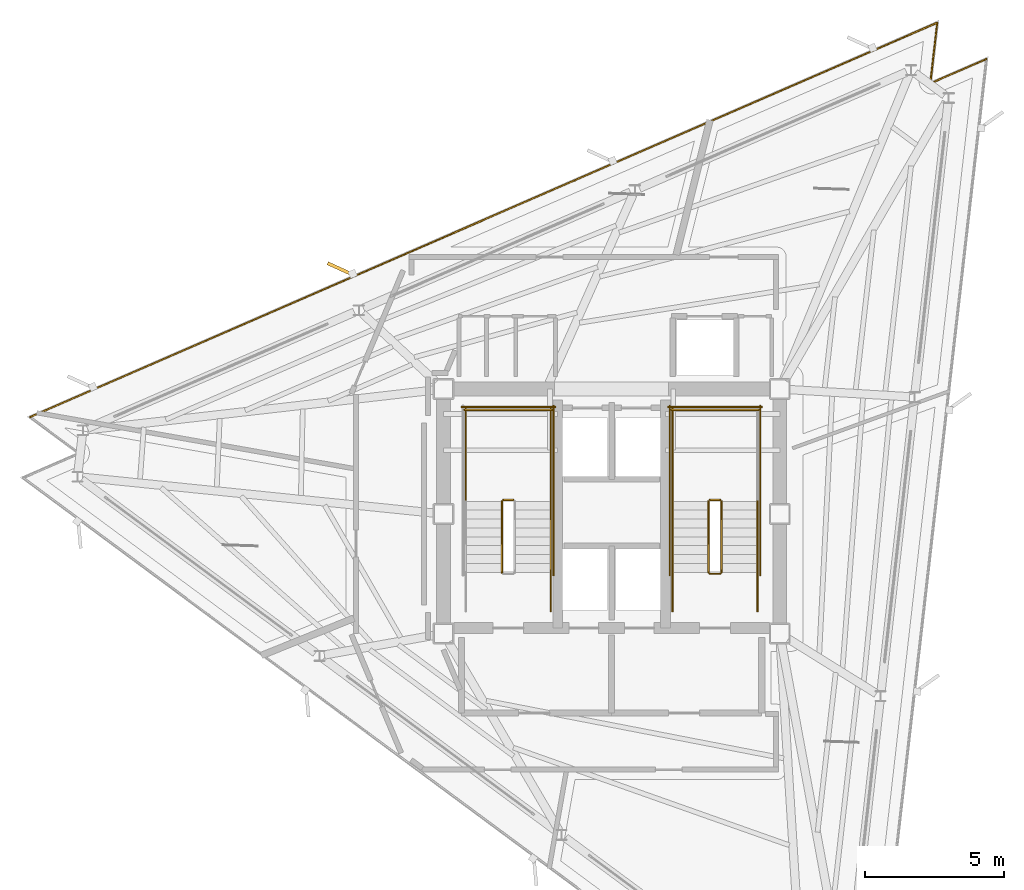
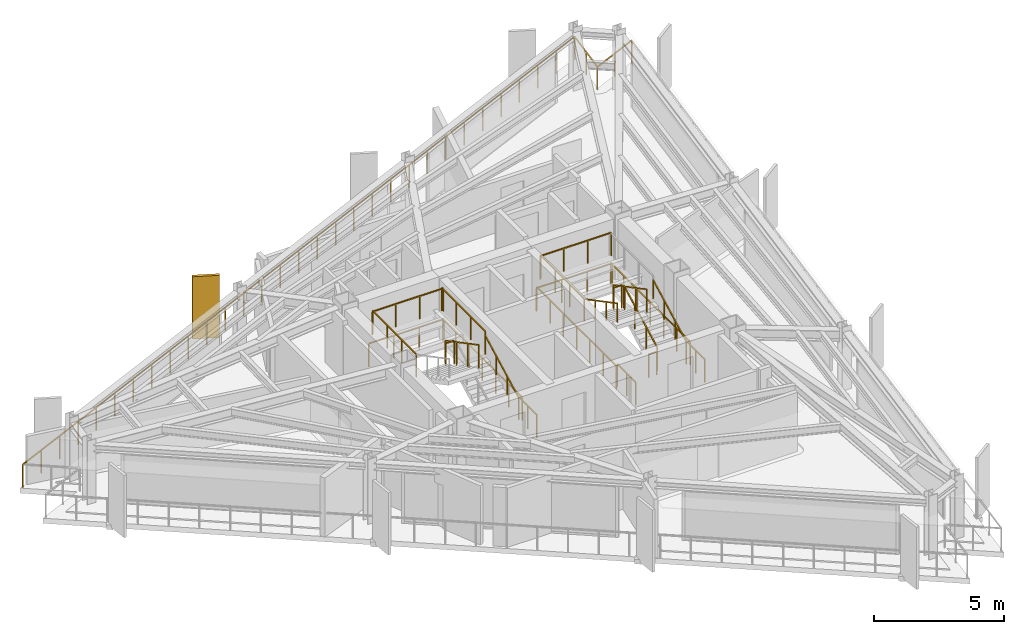
# One storey, part 9 of 10: 23 railings, 1 shading device.
"""IFC4 building model written with IfcOpenShell, lengths in metres."""

from ifc_helpers import new_model, si_unit, direction, frame, origin, origin_2d, place, context, subcontext, project, spatial, rectangle, extrude, material, layer, layer_set, type_object, element, save


model = new_model("IFC4")

# Units and contexts
model_context = context("Model", 3, precision=1e-05, world=origin(), true_north=direction((0.0, 1.0)))
body_context = subcontext(model_context, "Body", "Model", "MODEL_VIEW")
ifc_project = project(units=[si_unit("LENGTHUNIT", "METRE"), si_unit("AREAUNIT", "SQUARE_METRE"), si_unit("VOLUMEUNIT", "CUBIC_METRE"), si_unit("PLANEANGLEUNIT", "RADIAN"), si_unit("MASSUNIT", "GRAM", prefix="KILO")], contexts=[model_context])

# Site, building, storey
site_placement = place(None, origin())
site = spatial("IfcSite", under=ifc_project, at=site_placement, CompositionType="ELEMENT")
building_placement = place(site_placement, origin())
building = spatial("IfcBuilding", under=site, at=building_placement, Name="Rocaltana Carrier Exchange", CompositionType="ELEMENT")
storey_placement = place(building_placement, frame((0.0, 0.0, 220.9599609375)))
storey = spatial("IfcBuildingStorey", under=building, at=storey_placement, Name="L70", CompositionType="ELEMENT", Elevation=220.9599609375)

# Railings
ifc_material_1 = material(Name="Brushed Architectural Stainless Tube", Category="steel")
ifc_layer_1 = layer(ifc_material_1, 0.048095703125)
ifc_layer_set_1 = layer_set([ifc_layer_1], Name="Brushed Architectural Stainless Tube")
railing_type_1 = type_object("IfcRailingType", Name="Stair Wall Handrail 920", PredefinedType="HANDRAIL", material=ifc_layer_set_1)
for number, where, name in (
    (1, (-2.18994140625, -2.10009765625, 0.1689453125), "L70 ST-1 stair handrail 1"),
    (2, (5.25, -2.10009765625, 0.1689453125), "L70 ST-2 stair handrail 1"),
):
    element("IfcRailing", number, at=place(storey_placement, frame(where)), inside=storey, type_object=railing_type_1, Name=name, PredefinedType="HANDRAIL", context=body_context, shape_type="SweptSolid", body=[
        extrude(rectangle(XDim=0.048095703125, YDim=0.048095703125, at=origin_2d()), frame((0.0, 0.0, 0.8759765625), z_axis=(0.0, 0.884394423565, 0.466740295633), x_axis=(-1.0, 0.0, 0.0)), (0.0, 0.0, 1.0), 2.894775390625),
        extrude(rectangle(XDim=0.0419921875, YDim=0.0419921875, at=origin_2d()), origin(), (0.0, 0.0, 1.0), 0.851806640625),
        extrude(rectangle(XDim=0.0419921875, YDim=0.0419921875, at=origin_2d()), frame((0.0, 0.853271484375, 0.450439453125)), (0.0, 0.0, 1.0), 0.851806640625),
        extrude(rectangle(XDim=0.0419921875, YDim=0.0419921875, at=origin_2d()), frame((0.0, 1.706787109375, 0.900634765625)), (0.0, 0.0, 1.0), 0.851806640625),
        extrude(rectangle(XDim=0.0419921875, YDim=0.0419921875, at=origin_2d()), frame((0.0, 2.56005859375, 1.35107421875)), (0.0, 0.0, 1.0), 0.851806640625),
    ])
railing_1_placement = place(storey_placement, frame((2.18994140625, 0.4599609375, 1.68896484375)))
element("IfcRailing", 3, at=railing_1_placement, inside=storey, type_object=railing_type_1, Name="L70 ST-2 stair handrail 2", PredefinedType="HANDRAIL", context=body_context, shape_type="SweptSolid", body=[
    extrude(rectangle(XDim=0.048095703125, YDim=0.048095703125, at=origin_2d()), frame((0.0, 0.0, 0.8759765625), z_axis=(0.0, -0.884394423565, 0.466740295633), x_axis=(1.0, 0.0, 0.0)), (0.0, 0.0, 1.0), 2.894775390625),
    extrude(rectangle(XDim=0.0419921875, YDim=0.0419921875, at=origin_2d()), origin(), (0.0, 0.0, 1.0), 0.851806640625),
    extrude(rectangle(XDim=0.0419921875, YDim=0.0419921875, at=origin_2d()), frame((0.0, -0.853271484375, 0.450439453125)), (0.0, 0.0, 1.0), 0.851806640625),
    extrude(rectangle(XDim=0.0419921875, YDim=0.0419921875, at=origin_2d()), frame((0.0, -1.706787109375, 0.900634765625)), (0.0, 0.0, 1.0), 0.851806640625),
    extrude(rectangle(XDim=0.0419921875, YDim=0.0419921875, at=origin_2d()), frame((0.0, -2.56005859375, 1.35107421875)), (0.0, 0.0, 1.0), 0.851806640625),
])
ifc_material_2 = material(Name="Powder-Coated Aluminium 6063-T6", Category="aluminium")
ifc_layer_2 = layer(ifc_material_2, 0.048095703125)
ifc_layer_set_2 = layer_set([ifc_layer_2], Name="Powder-Coated Aluminium 6063-T6")
railing_type_2 = type_object("IfcRailingType", Name="Stair Well Guardrail 1100", PredefinedType="GUARDRAIL", material=ifc_layer_set_2)
railing_2_placement = place(storey_placement, frame((-3.5400390625, 0.510009765625, 1.52001953125)))
element("IfcRailing", 4, at=railing_2_placement, inside=storey, type_object=railing_type_2, Name="L70 ST-1 stair guard 2", PredefinedType="GUARDRAIL", context=body_context, shape_type="SweptSolid", body=[
    extrude(rectangle(XDim=0.048095703125, YDim=0.048095703125, at=origin_2d()), frame((0.0, 0.0, 1.076171875), z_axis=(-1.0, 0.0, 0.0), x_axis=(0.0, -1.0, 0.0)), (0.0, 0.0, 1.0), 0.35986328125),
    extrude(rectangle(XDim=0.0419921875, YDim=0.0419921875, at=origin_2d()), origin(), (0.0, 0.0, 1.0), 1.052001953125),
    extrude(rectangle(XDim=0.0419921875, YDim=0.0419921875, at=origin_2d()), frame((-0.35986328125, 0.0, 0.0)), (0.0, 0.0, 1.0), 1.052001953125),
])
for number, where, name in (
    (5, (-2.18994140625, 0.4599609375, 1.52001953125), "L70 ST-1 stair guard 3"),
    (6, (-5.25, 0.4599609375, 1.52001953125), "L70 ST-1 stair guard 4"),
):
    element("IfcRailing", number, at=place(storey_placement, frame(where)), inside=storey, type_object=railing_type_2, Name=name, PredefinedType="GUARDRAIL", context=body_context, shape_type="SweptSolid", body=[
        extrude(rectangle(XDim=0.048095703125, YDim=0.048095703125, at=origin_2d()), frame((0.0, 0.0, 1.076171875), z_axis=(0.0, 1.0, 0.0), x_axis=(-1.0, 0.0, 0.0)), (0.0, 0.0, 1.0), 3.340087890625),
        extrude(rectangle(XDim=0.0419921875, YDim=0.0419921875, at=origin_2d()), origin(), (0.0, 0.0, 1.0), 1.052001953125),
        extrude(rectangle(XDim=0.0419921875, YDim=0.0419921875, at=origin_2d()), frame((0.0, 1.11328125, 0.0)), (0.0, 0.0, 1.0), 1.052001953125),
        extrude(rectangle(XDim=0.0419921875, YDim=0.0419921875, at=origin_2d()), frame((0.0, 2.226806640625, 0.0)), (0.0, 0.0, 1.0), 1.052001953125),
        extrude(rectangle(XDim=0.0419921875, YDim=0.0419921875, at=origin_2d()), frame((0.0, 3.340087890625, 0.0)), (0.0, 0.0, 1.0), 1.052001953125),
    ])
railing_3_placement = place(storey_placement, frame((-2.139892578125, 3.75, 1.52001953125)))
element("IfcRailing", 7, at=railing_3_placement, inside=storey, type_object=railing_type_2, Name="L70 ST-1 stair guard 5", PredefinedType="GUARDRAIL", context=body_context, shape_type="SweptSolid", body=[
    extrude(rectangle(XDim=0.048095703125, YDim=0.048095703125, at=origin_2d()), frame((0.0, 0.0, 1.076171875), z_axis=(-1.0, 0.0, 0.0), x_axis=(0.0, -1.0, 0.0)), (0.0, 0.0, 1.0), 3.16015625),
    extrude(rectangle(XDim=0.0419921875, YDim=0.0419921875, at=origin_2d()), origin(), (0.0, 0.0, 1.0), 1.052001953125),
    extrude(rectangle(XDim=0.0419921875, YDim=0.0419921875, at=origin_2d()), frame((-1.053466796875, 0.0, 0.0)), (0.0, 0.0, 1.0), 1.052001953125),
    extrude(rectangle(XDim=0.0419921875, YDim=0.0419921875, at=origin_2d()), frame((-2.106689453125, 0.0, 0.0)), (0.0, 0.0, 1.0), 1.052001953125),
    extrude(rectangle(XDim=0.0419921875, YDim=0.0419921875, at=origin_2d()), frame((-3.16015625, 0.0, 0.0)), (0.0, 0.0, 1.0), 1.052001953125),
])
railing_4_placement = place(storey_placement, frame((-3.949951171875, 0.4599609375, 1.68896484375)))
element("IfcRailing", 8, at=railing_4_placement, inside=storey, type_object=railing_type_2, Name="L70 ST-1 stair guard 6", PredefinedType="GUARDRAIL", context=body_context, shape_type="SweptSolid", body=[
    extrude(rectangle(XDim=0.048095703125, YDim=0.048095703125, at=origin_2d()), frame((0.0, 0.0, 1.076171875), z_axis=(0.0, -0.884394423565, 0.466740295633), x_axis=(1.0, 0.0, 0.0)), (0.0, 0.0, 1.0), 2.894775390625),
    extrude(rectangle(XDim=0.0419921875, YDim=0.0419921875, at=origin_2d()), origin(), (0.0, 0.0, 1.0), 1.052001953125),
    extrude(rectangle(XDim=0.0419921875, YDim=0.0419921875, at=origin_2d()), frame((0.0, -0.853271484375, 0.450439453125)), (0.0, 0.0, 1.0), 1.052001953125),
    extrude(rectangle(XDim=0.0419921875, YDim=0.0419921875, at=origin_2d()), frame((0.0, -1.706787109375, 0.900634765625)), (0.0, 0.0, 1.0), 1.052001953125),
    extrude(rectangle(XDim=0.0419921875, YDim=0.0419921875, at=origin_2d()), frame((0.0, -2.56005859375, 1.35107421875)), (0.0, 0.0, 1.0), 1.052001953125),
])
railing_5_placement = place(storey_placement, frame((-2.18994140625, -3.5, 0.0)))
element("IfcRailing", 9, at=railing_5_placement, inside=storey, type_object=railing_type_2, Name="L70 ST-1 stair guard 8", PredefinedType="GUARDRAIL", context=body_context, shape_type="SweptSolid", body=[
    extrude(rectangle(XDim=0.048095703125, YDim=0.048095703125, at=origin_2d()), frame((0.0, 0.0, 1.076171875), z_axis=(0.0, 1.0, 0.0), x_axis=(-1.0, 0.0, 0.0)), (0.0, 0.0, 1.0), 1.39990234375),
    extrude(rectangle(XDim=0.0419921875, YDim=0.0419921875, at=origin_2d()), origin(), (0.0, 0.0, 1.0), 1.052001953125),
    extrude(rectangle(XDim=0.0419921875, YDim=0.0419921875, at=origin_2d()), frame((0.0, 0.699951171875, 0.0)), (0.0, 0.0, 1.0), 1.052001953125),
    extrude(rectangle(XDim=0.0419921875, YDim=0.0419921875, at=origin_2d()), frame((0.0, 1.39990234375, 0.0)), (0.0, 0.0, 1.0), 1.052001953125),
])
railing_6_placement = place(storey_placement, frame((-2.090087890625, -2.199951171875, 0.0)))
element("IfcRailing", 10, at=railing_6_placement, inside=storey, type_object=railing_type_2, Name="L70 ST-1 stair guard 10", PredefinedType="GUARDRAIL", context=body_context, shape_type="SweptSolid", body=[
    extrude(rectangle(XDim=0.048095703125, YDim=0.048095703125, at=origin_2d()), frame((0.0, 0.0, 1.076171875), z_axis=(0.0, 1.0, 0.0), x_axis=(-1.0, 0.0, 0.0)), (0.0, 0.0, 1.0), 6.099853515625),
    extrude(rectangle(XDim=0.0419921875, YDim=0.0419921875, at=origin_2d()), origin(), (0.0, 0.0, 1.0), 1.052001953125),
    extrude(rectangle(XDim=0.0419921875, YDim=0.0419921875, at=origin_2d()), frame((0.0, 1.0166015625, 0.0)), (0.0, 0.0, 1.0), 1.052001953125),
    extrude(rectangle(XDim=0.0419921875, YDim=0.0419921875, at=origin_2d()), frame((0.0, 2.033203125, 0.0)), (0.0, 0.0, 1.0), 1.052001953125),
    extrude(rectangle(XDim=0.0419921875, YDim=0.0419921875, at=origin_2d()), frame((0.0, 3.0498046875, 0.0)), (0.0, 0.0, 1.0), 1.052001953125),
    extrude(rectangle(XDim=0.0419921875, YDim=0.0419921875, at=origin_2d()), frame((0.0, 4.066650390625, 0.0)), (0.0, 0.0, 1.0), 1.052001953125),
    extrude(rectangle(XDim=0.0419921875, YDim=0.0419921875, at=origin_2d()), frame((0.0, 5.083251953125, 0.0)), (0.0, 0.0, 1.0), 1.052001953125),
    extrude(rectangle(XDim=0.0419921875, YDim=0.0419921875, at=origin_2d()), frame((0.0, 6.099853515625, 0.0)), (0.0, 0.0, 1.0), 1.052001953125),
])
railing_7_placement = place(storey_placement, frame((-2.0400390625, 3.85009765625, 0.0)))
element("IfcRailing", 11, at=railing_7_placement, inside=storey, type_object=railing_type_2, Name="L70 ST-1 stair guard 12", PredefinedType="GUARDRAIL", context=body_context, shape_type="SweptSolid", body=[
    extrude(rectangle(XDim=0.048095703125, YDim=0.048095703125, at=origin_2d()), frame((0.0, 0.0, 1.076171875), z_axis=(-1.0, 0.0, 0.0), x_axis=(0.0, -1.0, 0.0)), (0.0, 0.0, 1.0), 3.35986328125),
    extrude(rectangle(XDim=0.0419921875, YDim=0.0419921875, at=origin_2d()), origin(), (0.0, 0.0, 1.0), 1.052001953125),
    extrude(rectangle(XDim=0.0419921875, YDim=0.0419921875, at=origin_2d()), frame((-1.119873046875, 0.0, 0.0)), (0.0, 0.0, 1.0), 1.052001953125),
    extrude(rectangle(XDim=0.0419921875, YDim=0.0419921875, at=origin_2d()), frame((-2.239990234375, 0.0, 0.0)), (0.0, 0.0, 1.0), 1.052001953125),
    extrude(rectangle(XDim=0.0419921875, YDim=0.0419921875, at=origin_2d()), frame((-3.35986328125, 0.0, 0.0)), (0.0, 0.0, 1.0), 1.052001953125),
])
railing_8_placement = place(storey_placement, frame((3.949951171875, -2.10009765625, 0.1689453125)))
element("IfcRailing", 12, at=railing_8_placement, inside=storey, type_object=railing_type_2, Name="L70 ST-2 stair guard 1", PredefinedType="GUARDRAIL", context=body_context, shape_type="SweptSolid", body=[
    extrude(rectangle(XDim=0.048095703125, YDim=0.048095703125, at=origin_2d()), frame((0.0, 0.0, 1.076171875), z_axis=(0.0, 0.884394423565, 0.466740295633), x_axis=(-1.0, 0.0, 0.0)), (0.0, 0.0, 1.0), 2.894775390625),
    extrude(rectangle(XDim=0.0419921875, YDim=0.0419921875, at=origin_2d()), origin(), (0.0, 0.0, 1.0), 1.052001953125),
    extrude(rectangle(XDim=0.0419921875, YDim=0.0419921875, at=origin_2d()), frame((0.0, 0.853271484375, 0.450439453125)), (0.0, 0.0, 1.0), 1.052001953125),
    extrude(rectangle(XDim=0.0419921875, YDim=0.0419921875, at=origin_2d()), frame((0.0, 1.706787109375, 0.900634765625)), (0.0, 0.0, 1.0), 1.052001953125),
    extrude(rectangle(XDim=0.0419921875, YDim=0.0419921875, at=origin_2d()), frame((0.0, 2.56005859375, 1.35107421875)), (0.0, 0.0, 1.0), 1.052001953125),
])
railing_9_placement = place(storey_placement, frame((3.89990234375, 0.510009765625, 1.52001953125)))
element("IfcRailing", 13, at=railing_9_placement, inside=storey, type_object=railing_type_2, Name="L70 ST-2 stair guard 2", PredefinedType="GUARDRAIL", context=body_context, shape_type="SweptSolid", body=[
    extrude(rectangle(XDim=0.048095703125, YDim=0.048095703125, at=origin_2d()), frame((0.0, 0.0, 1.076171875), z_axis=(-1.0, 0.0, 0.0), x_axis=(0.0, -1.0, 0.0)), (0.0, 0.0, 1.0), 0.35986328125),
    extrude(rectangle(XDim=0.0419921875, YDim=0.0419921875, at=origin_2d()), origin(), (0.0, 0.0, 1.0), 1.052001953125),
    extrude(rectangle(XDim=0.0419921875, YDim=0.0419921875, at=origin_2d()), frame((-0.35986328125, 0.0, 0.0)), (0.0, 0.0, 1.0), 1.052001953125),
])
railing_10_placement = place(storey_placement, frame((2.18994140625, 0.4599609375, 1.52001953125)))
element("IfcRailing", 14, at=railing_10_placement, inside=storey, type_object=railing_type_2, Name="L70 ST-2 stair guard 4", PredefinedType="GUARDRAIL", context=body_context, shape_type="SweptSolid", body=[
    extrude(rectangle(XDim=0.048095703125, YDim=0.048095703125, at=origin_2d()), frame((0.0, 0.0, 1.076171875), z_axis=(0.0, 1.0, 0.0), x_axis=(-1.0, 0.0, 0.0)), (0.0, 0.0, 1.0), 3.340087890625),
    extrude(rectangle(XDim=0.0419921875, YDim=0.0419921875, at=origin_2d()), origin(), (0.0, 0.0, 1.0), 1.052001953125),
    extrude(rectangle(XDim=0.0419921875, YDim=0.0419921875, at=origin_2d()), frame((0.0, 1.11328125, 0.0)), (0.0, 0.0, 1.0), 1.052001953125),
    extrude(rectangle(XDim=0.0419921875, YDim=0.0419921875, at=origin_2d()), frame((0.0, 2.226806640625, 0.0)), (0.0, 0.0, 1.0), 1.052001953125),
    extrude(rectangle(XDim=0.0419921875, YDim=0.0419921875, at=origin_2d()), frame((0.0, 3.340087890625, 0.0)), (0.0, 0.0, 1.0), 1.052001953125),
])
railing_11_placement = place(storey_placement, frame((5.300048828125, 3.75, 1.52001953125)))
element("IfcRailing", 15, at=railing_11_placement, inside=storey, type_object=railing_type_2, Name="L70 ST-2 stair guard 5", PredefinedType="GUARDRAIL", context=body_context, shape_type="SweptSolid", body=[
    extrude(rectangle(XDim=0.048095703125, YDim=0.048095703125, at=origin_2d()), frame((0.0, 0.0, 1.076171875), z_axis=(-1.0, 0.0, 0.0), x_axis=(0.0, -1.0, 0.0)), (0.0, 0.0, 1.0), 3.16015625),
    extrude(rectangle(XDim=0.0419921875, YDim=0.0419921875, at=origin_2d()), origin(), (0.0, 0.0, 1.0), 1.052001953125),
    extrude(rectangle(XDim=0.0419921875, YDim=0.0419921875, at=origin_2d()), frame((-1.053466796875, 0.0, 0.0)), (0.0, 0.0, 1.0), 1.052001953125),
    extrude(rectangle(XDim=0.0419921875, YDim=0.0419921875, at=origin_2d()), frame((-2.106689453125, 0.0, 0.0)), (0.0, 0.0, 1.0), 1.052001953125),
    extrude(rectangle(XDim=0.0419921875, YDim=0.0419921875, at=origin_2d()), frame((-3.16015625, 0.0, 0.0)), (0.0, 0.0, 1.0), 1.052001953125),
])
railing_12_placement = place(storey_placement, frame((3.489990234375, 0.4599609375, 1.68896484375)))
element("IfcRailing", 16, at=railing_12_placement, inside=storey, type_object=railing_type_2, Name="L70 ST-2 stair guard 6", PredefinedType="GUARDRAIL", context=body_context, shape_type="SweptSolid", body=[
    extrude(rectangle(XDim=0.048095703125, YDim=0.048095703125, at=origin_2d()), frame((0.0, 0.0, 1.076171875), z_axis=(0.0, -0.884394423565, 0.466740295633), x_axis=(1.0, 0.0, 0.0)), (0.0, 0.0, 1.0), 2.894775390625),
    extrude(rectangle(XDim=0.0419921875, YDim=0.0419921875, at=origin_2d()), origin(), (0.0, 0.0, 1.0), 1.052001953125),
    extrude(rectangle(XDim=0.0419921875, YDim=0.0419921875, at=origin_2d()), frame((0.0, -0.853271484375, 0.450439453125)), (0.0, 0.0, 1.0), 1.052001953125),
    extrude(rectangle(XDim=0.0419921875, YDim=0.0419921875, at=origin_2d()), frame((0.0, -1.706787109375, 0.900634765625)), (0.0, 0.0, 1.0), 1.052001953125),
    extrude(rectangle(XDim=0.0419921875, YDim=0.0419921875, at=origin_2d()), frame((0.0, -2.56005859375, 1.35107421875)), (0.0, 0.0, 1.0), 1.052001953125),
])
railing_13_placement = place(storey_placement, frame((3.89990234375, -2.14990234375, 0.0)))
element("IfcRailing", 17, at=railing_13_placement, inside=storey, type_object=railing_type_2, Name="L70 ST-2 stair guard 7", PredefinedType="GUARDRAIL", context=body_context, shape_type="SweptSolid", body=[
    extrude(rectangle(XDim=0.048095703125, YDim=0.048095703125, at=origin_2d()), frame((0.0, 0.0, 1.076171875), z_axis=(-1.0, 0.0, 0.0), x_axis=(0.0, -1.0, 0.0)), (0.0, 0.0, 1.0), 0.35986328125),
    extrude(rectangle(XDim=0.0419921875, YDim=0.0419921875, at=origin_2d()), origin(), (0.0, 0.0, 1.0), 1.052001953125),
    extrude(rectangle(XDim=0.0419921875, YDim=0.0419921875, at=origin_2d()), frame((-0.35986328125, 0.0, 0.0)), (0.0, 0.0, 1.0), 1.052001953125),
])
for number, where, name in (
    (18, (5.25, -3.5, 0.0), "L70 ST-2 stair guard 8"),
    (19, (2.18994140625, -3.5, 0.0), "L70 ST-2 stair guard 9"),
):
    element("IfcRailing", number, at=place(storey_placement, frame(where)), inside=storey, type_object=railing_type_2, Name=name, PredefinedType="GUARDRAIL", context=body_context, shape_type="SweptSolid", body=[
        extrude(rectangle(XDim=0.048095703125, YDim=0.048095703125, at=origin_2d()), frame((0.0, 0.0, 1.076171875), z_axis=(0.0, 1.0, 0.0), x_axis=(-1.0, 0.0, 0.0)), (0.0, 0.0, 1.0), 1.39990234375),
        extrude(rectangle(XDim=0.0419921875, YDim=0.0419921875, at=origin_2d()), origin(), (0.0, 0.0, 1.0), 1.052001953125),
        extrude(rectangle(XDim=0.0419921875, YDim=0.0419921875, at=origin_2d()), frame((0.0, 0.699951171875, 0.0)), (0.0, 0.0, 1.0), 1.052001953125),
        extrude(rectangle(XDim=0.0419921875, YDim=0.0419921875, at=origin_2d()), frame((0.0, 1.39990234375, 0.0)), (0.0, 0.0, 1.0), 1.052001953125),
    ])
for number, where, name in (
    (20, (5.35009765625, -2.199951171875, 0.0), "L70 ST-2 stair guard 10"),
    (21, (2.090087890625, -2.199951171875, 0.0), "L70 ST-2 stair guard 11"),
):
    element("IfcRailing", number, at=place(storey_placement, frame(where)), inside=storey, type_object=railing_type_2, Name=name, PredefinedType="GUARDRAIL", context=body_context, shape_type="SweptSolid", body=[
        extrude(rectangle(XDim=0.048095703125, YDim=0.048095703125, at=origin_2d()), frame((0.0, 0.0, 1.076171875), z_axis=(0.0, 1.0, 0.0), x_axis=(-1.0, 0.0, 0.0)), (0.0, 0.0, 1.0), 6.099853515625),
        extrude(rectangle(XDim=0.0419921875, YDim=0.0419921875, at=origin_2d()), origin(), (0.0, 0.0, 1.0), 1.052001953125),
        extrude(rectangle(XDim=0.0419921875, YDim=0.0419921875, at=origin_2d()), frame((0.0, 1.0166015625, 0.0)), (0.0, 0.0, 1.0), 1.052001953125),
        extrude(rectangle(XDim=0.0419921875, YDim=0.0419921875, at=origin_2d()), frame((0.0, 2.033203125, 0.0)), (0.0, 0.0, 1.0), 1.052001953125),
        extrude(rectangle(XDim=0.0419921875, YDim=0.0419921875, at=origin_2d()), frame((0.0, 3.0498046875, 0.0)), (0.0, 0.0, 1.0), 1.052001953125),
        extrude(rectangle(XDim=0.0419921875, YDim=0.0419921875, at=origin_2d()), frame((0.0, 4.066650390625, 0.0)), (0.0, 0.0, 1.0), 1.052001953125),
        extrude(rectangle(XDim=0.0419921875, YDim=0.0419921875, at=origin_2d()), frame((0.0, 5.083251953125, 0.0)), (0.0, 0.0, 1.0), 1.052001953125),
        extrude(rectangle(XDim=0.0419921875, YDim=0.0419921875, at=origin_2d()), frame((0.0, 6.099853515625, 0.0)), (0.0, 0.0, 1.0), 1.052001953125),
    ])
railing_14_placement = place(storey_placement, frame((5.39990234375, 3.85009765625, 0.0)))
element("IfcRailing", 22, at=railing_14_placement, inside=storey, type_object=railing_type_2, Name="L70 ST-2 stair guard 12", PredefinedType="GUARDRAIL", context=body_context, shape_type="SweptSolid", body=[
    extrude(rectangle(XDim=0.048095703125, YDim=0.048095703125, at=origin_2d()), frame((0.0, 0.0, 1.076171875), z_axis=(-1.0, 0.0, 0.0), x_axis=(0.0, -1.0, 0.0)), (0.0, 0.0, 1.0), 3.35986328125),
    extrude(rectangle(XDim=0.0419921875, YDim=0.0419921875, at=origin_2d()), origin(), (0.0, 0.0, 1.0), 1.052001953125),
    extrude(rectangle(XDim=0.0419921875, YDim=0.0419921875, at=origin_2d()), frame((-1.119873046875, 0.0, 0.0)), (0.0, 0.0, 1.0), 1.052001953125),
    extrude(rectangle(XDim=0.0419921875, YDim=0.0419921875, at=origin_2d()), frame((-2.239990234375, 0.0, 0.0)), (0.0, 0.0, 1.0), 1.052001953125),
    extrude(rectangle(XDim=0.0419921875, YDim=0.0419921875, at=origin_2d()), frame((-3.35986328125, 0.0, 0.0)), (0.0, 0.0, 1.0), 1.052001953125),
])

# Shading device
ifc_material_3 = material(Name="Honed Bogota Sandstone & Concrete C45/55", Category="masonry")
ifc_layer_3 = layer(ifc_material_3, 0.1201171875)
ifc_layer_set_3 = layer_set([ifc_layer_3], Name="Honed Bogota Sandstone & Concrete C45/55")
shading_device_type = type_object("IfcShadingDeviceType", Name="Upper Sandstone Shading Fin 1050x120", PredefinedType="USERDEFINED", material=ifc_layer_set_3)
shading_device_placement = place(storey_placement, frame((-9.74560546875, 8.809814453125, -0.119873046875), z_axis=(0.0, 0.0, 1.0), x_axis=(-0.909961270877, 0.414693242656, 0.0)))
element("IfcShadingDevice", 23, at=shading_device_placement, inside=storey, type_object=shading_device_type, Name="L70 Sandstone Vertical Fin F2-03", ObjectType="FIN", PredefinedType="USERDEFINED", context=body_context, shape_type="SweptSolid", body=[
    extrude(rectangle(XDim=1.050048828125, YDim=0.1201171875, at=origin_2d()), origin(), (0.0, 0.0, 1.0), 2.91796875),
])

# Railing
ifc_material_4 = material(Name="Powder-Coated Aluminium 6063-T6", Category="aluminium")
ifc_layer_4 = layer(ifc_material_4, 0.06005859375)
ifc_layer_set_4 = layer_set([ifc_layer_4], Name="Powder-Coated Aluminium 6063-T6")
railing_type_3 = type_object("IfcRailingType", Name="Wind-Floor & Terrace Perimeter Guardrail 1100", PredefinedType="GUARDRAIL", material=ifc_layer_set_4)
railing_15_placement = place(storey_placement, frame((-20.923583984375, 3.490966796875, 0.0)))
element("IfcRailing", 24, at=railing_15_placement, inside=storey, type_object=railing_type_3, Name="L70 Perimeter Balcony Guardrail 2", PredefinedType="GUARDRAIL", context=body_context, shape_type="SweptSolid", body=[
    extrude(rectangle(XDim=0.048095703125, YDim=0.048095703125, at=origin_2d()), frame((0.0, 0.0, 1.076171875), z_axis=(0.917059586912, 0.398750190034, 0.0), x_axis=(-0.398750190034, 0.917059586912, 0.0)), (0.0, 0.0, 1.0), 35.59228515625),
    extrude(rectangle(XDim=0.048095703125, YDim=0.048095703125, at=origin_2d()), frame((32.64013671875, 14.1923828125, 1.076171875), z_axis=(-0.113196037832, -0.993572673245, 0.0), x_axis=(0.993572673245, -0.113196037832, 0.0)), (0.0, 0.0, 1.0), 2.199951171875),
    extrude(rectangle(XDim=0.048095703125, YDim=0.048095703125, at=origin_2d()), frame((32.39111328125, 12.006591796875, 1.076171875), z_axis=(0.917071820503, 0.398722053614, 0.0), x_axis=(-0.398722053614, 0.917071820503, 0.0)), (0.0, 0.0, 1.0), 2.199951171875),
    extrude(rectangle(XDim=0.0419921875, YDim=0.0419921875, at=origin_2d()), origin(), (0.0, 0.0, 1.0), 1.052001953125),
    extrude(rectangle(XDim=0.0419921875, YDim=0.0419921875, at=origin_2d()), frame((1.087890625, 0.47314453125, 0.0)), (0.0, 0.0, 1.0), 1.052001953125),
    extrude(rectangle(XDim=0.0419921875, YDim=0.0419921875, at=origin_2d()), frame((2.176025390625, 0.946044921875, 0.0)), (0.0, 0.0, 1.0), 1.052001953125),
    extrude(rectangle(XDim=0.0419921875, YDim=0.0419921875, at=origin_2d()), frame((3.263916015625, 1.419189453125, 0.0)), (0.0, 0.0, 1.0), 1.052001953125),
    extrude(rectangle(XDim=0.0419921875, YDim=0.0419921875, at=origin_2d()), frame((4.35205078125, 1.892333984375, 0.0)), (0.0, 0.0, 1.0), 1.052001953125),
    extrude(rectangle(XDim=0.0419921875, YDim=0.0419921875, at=origin_2d()), frame((5.43994140625, 2.365478515625, 0.0)), (0.0, 0.0, 1.0), 1.052001953125),
    extrude(rectangle(XDim=0.0419921875, YDim=0.0419921875, at=origin_2d()), frame((6.528076171875, 2.83837890625, 0.0)), (0.0, 0.0, 1.0), 1.052001953125),
    extrude(rectangle(XDim=0.0419921875, YDim=0.0419921875, at=origin_2d()), frame((7.615966796875, 3.3115234375, 0.0)), (0.0, 0.0, 1.0), 1.052001953125),
    extrude(rectangle(XDim=0.0419921875, YDim=0.0419921875, at=origin_2d()), frame((8.7041015625, 3.78466796875, 0.0)), (0.0, 0.0, 1.0), 1.052001953125),
    extrude(rectangle(XDim=0.0419921875, YDim=0.0419921875, at=origin_2d()), frame((9.7919921875, 4.2578125, 0.0)), (0.0, 0.0, 1.0), 1.052001953125),
    extrude(rectangle(XDim=0.0419921875, YDim=0.0419921875, at=origin_2d()), frame((10.880126953125, 4.730712890625, 0.0)), (0.0, 0.0, 1.0), 1.052001953125),
    extrude(rectangle(XDim=0.0419921875, YDim=0.0419921875, at=origin_2d()), frame((11.968017578125, 5.203857421875, 0.0)), (0.0, 0.0, 1.0), 1.052001953125),
    extrude(rectangle(XDim=0.0419921875, YDim=0.0419921875, at=origin_2d()), frame((13.05615234375, 5.677001953125, 0.0)), (0.0, 0.0, 1.0), 1.052001953125),
    extrude(rectangle(XDim=0.0419921875, YDim=0.0419921875, at=origin_2d()), frame((14.14404296875, 6.150146484375, 0.0)), (0.0, 0.0, 1.0), 1.052001953125),
    extrude(rectangle(XDim=0.0419921875, YDim=0.0419921875, at=origin_2d()), frame((15.232177734375, 6.623046875, 0.0)), (0.0, 0.0, 1.0), 1.052001953125),
    extrude(rectangle(XDim=0.0419921875, YDim=0.0419921875, at=origin_2d()), frame((16.320068359375, 7.09619140625, 0.0)), (0.0, 0.0, 1.0), 1.052001953125),
    extrude(rectangle(XDim=0.0419921875, YDim=0.0419921875, at=origin_2d()), frame((17.407958984375, 7.5693359375, 0.0)), (0.0, 0.0, 1.0), 1.052001953125),
    extrude(rectangle(XDim=0.0419921875, YDim=0.0419921875, at=origin_2d()), frame((18.49609375, 8.042236328125, 0.0)), (0.0, 0.0, 1.0), 1.052001953125),
    extrude(rectangle(XDim=0.0419921875, YDim=0.0419921875, at=origin_2d()), frame((19.583984375, 8.515380859375, 0.0)), (0.0, 0.0, 1.0), 1.052001953125),
    extrude(rectangle(XDim=0.0419921875, YDim=0.0419921875, at=origin_2d()), frame((20.672119140625, 8.988525390625, 0.0)), (0.0, 0.0, 1.0), 1.052001953125),
    extrude(rectangle(XDim=0.0419921875, YDim=0.0419921875, at=origin_2d()), frame((21.760009765625, 9.461669921875, 0.0)), (0.0, 0.0, 1.0), 1.052001953125),
    extrude(rectangle(XDim=0.0419921875, YDim=0.0419921875, at=origin_2d()), frame((22.84814453125, 9.9345703125, 0.0)), (0.0, 0.0, 1.0), 1.052001953125),
    extrude(rectangle(XDim=0.0419921875, YDim=0.0419921875, at=origin_2d()), frame((23.93603515625, 10.40771484375, 0.0)), (0.0, 0.0, 1.0), 1.052001953125),
    extrude(rectangle(XDim=0.0419921875, YDim=0.0419921875, at=origin_2d()), frame((25.024169921875, 10.880859375, 0.0)), (0.0, 0.0, 1.0), 1.052001953125),
    extrude(rectangle(XDim=0.0419921875, YDim=0.0419921875, at=origin_2d()), frame((26.112060546875, 11.35400390625, 0.0)), (0.0, 0.0, 1.0), 1.052001953125),
    extrude(rectangle(XDim=0.0419921875, YDim=0.0419921875, at=origin_2d()), frame((27.2001953125, 11.826904296875, 0.0)), (0.0, 0.0, 1.0), 1.052001953125),
    extrude(rectangle(XDim=0.0419921875, YDim=0.0419921875, at=origin_2d()), frame((28.2880859375, 12.300048828125, 0.0)), (0.0, 0.0, 1.0), 1.052001953125),
    extrude(rectangle(XDim=0.0419921875, YDim=0.0419921875, at=origin_2d()), frame((29.376220703125, 12.773193359375, 0.0)), (0.0, 0.0, 1.0), 1.052001953125),
    extrude(rectangle(XDim=0.0419921875, YDim=0.0419921875, at=origin_2d()), frame((30.464111328125, 13.246337890625, 0.0)), (0.0, 0.0, 1.0), 1.052001953125),
    extrude(rectangle(XDim=0.0419921875, YDim=0.0419921875, at=origin_2d()), frame((31.55224609375, 13.71923828125, 0.0)), (0.0, 0.0, 1.0), 1.052001953125),
    extrude(rectangle(XDim=0.0419921875, YDim=0.0419921875, at=origin_2d()), frame((32.64013671875, 14.1923828125, 0.0)), (0.0, 0.0, 1.0), 1.052001953125),
    extrude(rectangle(XDim=0.0419921875, YDim=0.0419921875, at=origin_2d()), frame((32.515625, 13.099609375, 0.0)), (0.0, 0.0, 1.0), 1.052001953125),
    extrude(rectangle(XDim=0.0419921875, YDim=0.0419921875, at=origin_2d()), frame((32.39111328125, 12.006591796875, 0.0)), (0.0, 0.0, 1.0), 1.052001953125),
    extrude(rectangle(XDim=0.0419921875, YDim=0.0419921875, at=origin_2d()), frame((33.39990234375, 12.4453125, 0.0)), (0.0, 0.0, 1.0), 1.052001953125),
    extrude(rectangle(XDim=0.0419921875, YDim=0.0419921875, at=origin_2d()), frame((34.40869140625, 12.8837890625, 0.0)), (0.0, 0.0, 1.0), 1.052001953125),
])

save(model, "model.ifc")
